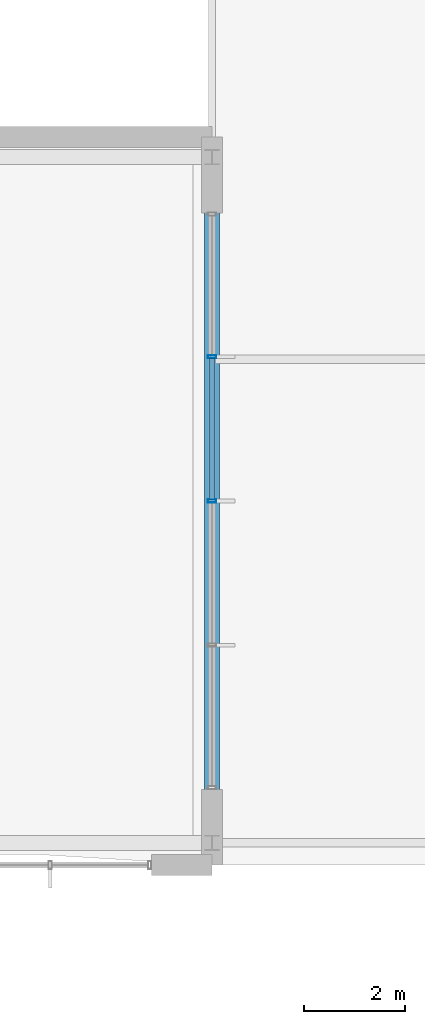
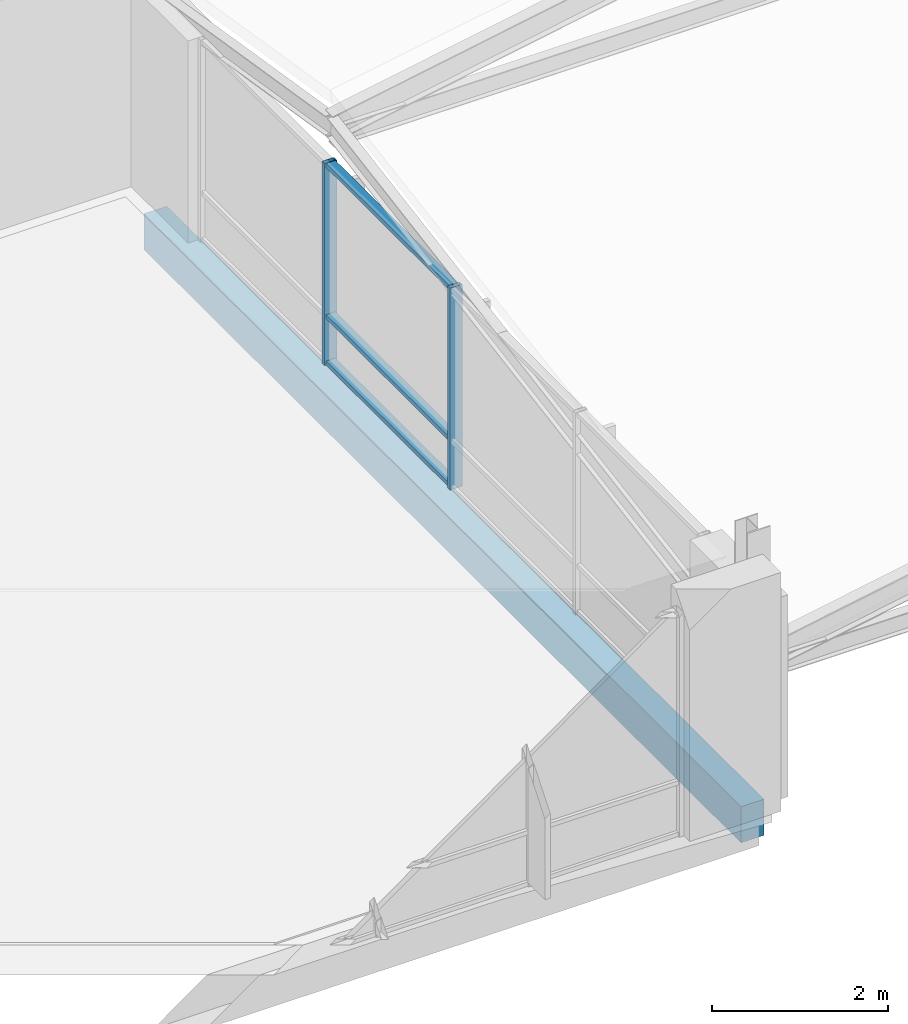
# One storey, part 40 of 189: 5 members, 1 beam, 1 element without a shape of its own.
"""IFC4 building model written with IfcOpenShell, lengths in metres."""

from ifc_helpers import new_model, si_unit, direction, frame, origin, origin_2d, place, context, subcontext, project, spatial, rectangle, hollow_rectangle, extrude, material, material_profile, profile_set, type_object, element, aggregate, save


model = new_model("IFC4")

# Units and contexts
model_context = context("Model", 3, precision=1e-05, world=origin(), true_north=direction((0.0, 1.0)))
body_context = subcontext(model_context, "Body", "Model", "MODEL_VIEW")
ifc_project = project(units=[si_unit("LENGTHUNIT", "METRE"), si_unit("AREAUNIT", "SQUARE_METRE"), si_unit("VOLUMEUNIT", "CUBIC_METRE"), si_unit("PLANEANGLEUNIT", "RADIAN"), si_unit("MASSUNIT", "GRAM", prefix="KILO")], contexts=[model_context])

# Site, building, storey
site_placement = place(None, origin())
site = spatial("IfcSite", under=ifc_project, at=site_placement, CompositionType="ELEMENT")
building_placement = place(site_placement, origin())
building = spatial("IfcBuilding", under=site, at=building_placement, Name="Zavelmont Quarter", CompositionType="ELEMENT")
storey_placement = place(building_placement, frame((0.0, 0.0, 4.39990234375)))
storey = spatial("IfcBuildingStorey", under=building, at=storey_placement, Name="L01", CompositionType="ELEMENT", Elevation=4.39990234375)

# Beam
ifc_material_1 = material(Name="Concrete C35/45", Category="concrete")
ifc_material_profile_1 = material_profile(ifc_material_1, rectangle(XDim=0.300048828125, YDim=0.5, at=origin_2d()), Name="RC300X500")
ifc_profile_set_1 = profile_set([ifc_material_profile_1], Name="Concrete C35/45")
beam_type = type_object("IfcBeamType", Name="BM03", PredefinedType="BEAM", material=ifc_profile_set_1)
beam_placement = place(storey_placement, frame((76.0, 0.43994140625, -0.52978515625), z_axis=(0.0, 1.0, 0.0), x_axis=(-1.0, 0.0, 0.0)))
element("IfcBeam", 1, at=beam_placement, inside=storey, type_object=beam_type, Name="L01 beam BM03 12/A to 12/C", PredefinedType="BEAM", context=body_context, shape_type="SweptSolid", body=[
    extrude(rectangle(XDim=0.300048828125, YDim=0.5, at=origin_2d()), origin(), (0.0, 0.0, 1.0), 13.56005859375),
])

# Curtain wall, members
ifc_material_2 = material(Name="Thermally broken aluminium and double low-E safety glazing", Category="aluminium")
curtain_wall_type = type_object("IfcCurtainWallType", Name="CW-1140X280", PredefinedType="NOTDEFINED", material=ifc_material_2)
curtain_wall_placement = place(storey_placement, origin())
curtain_wall = element("IfcCurtainWall", 2, at=curtain_wall_placement, inside=storey, type_object=curtain_wall_type, Name="L01 unitised curtain wall CW-1140X280", PredefinedType="NOTDEFINED")
ifc_material_3 = material(Name="Powder-coated aluminium EN AW-6063-T6", Category="aluminium")
ifc_material_profile_2 = material_profile(ifc_material_3, hollow_rectangle(XDim=0.06005859375, YDim=0.159912109375, WallThickness=0.00390625, at=origin_2d()), Name="CWM60X160")
ifc_profile_set_2 = profile_set([ifc_material_profile_2], Name="Powder-coated aluminium EN AW-6063-T6")
member_type_1 = type_object("IfcMemberType", Name="CWM01", PredefinedType="MULLION", material=ifc_profile_set_2)
member_1_placement = place(storey_placement, frame((76.0, 7.199951171875, 0.0), z_axis=(0.0, 0.0, 1.0), x_axis=(0.0, 1.0, 0.0)))
member_1 = element("IfcMember", 3, at=member_1_placement, type_object=member_type_1, Name="CW-1140X280 mullion 3", PredefinedType="MULLION", context=body_context, shape_type="SweptSolid", body=[
    extrude(hollow_rectangle(XDim=0.06005859375, YDim=0.159912109375, WallThickness=0.00390625, at=origin_2d()), origin(), (0.0, 0.0, 1.0), 2.800048828125),
])
member_2_placement = place(storey_placement, frame((76.0, 10.050048828125, 0.0), z_axis=(0.0, 0.0, 1.0), x_axis=(0.0, 1.0, 0.0)))
member_2 = element("IfcMember", 4, at=member_2_placement, type_object=member_type_1, Name="CW-1140X280 mullion 4", PredefinedType="MULLION", context=body_context, shape_type="SweptSolid", body=[
    extrude(hollow_rectangle(XDim=0.06005859375, YDim=0.159912109375, WallThickness=0.00390625, at=origin_2d()), origin(), (0.0, 0.0, 1.0), 2.800048828125),
])
ifc_material_profile_3 = material_profile(ifc_material_3, hollow_rectangle(XDim=0.1201171875, YDim=0.06005859375, WallThickness=0.00390625, at=origin_2d()), Name="CWT60X120")
ifc_profile_set_3 = profile_set([ifc_material_profile_3], Name="Powder-coated aluminium EN AW-6063-T6")
member_type_2 = type_object("IfcMemberType", Name="CWT01", PredefinedType="NOTDEFINED", material=ifc_profile_set_3)
member_3_placement = place(storey_placement, frame((76.0, 7.22998046875, 0.030029296875), z_axis=(0.0, 1.0, 0.0), x_axis=(-1.0, 0.0, 0.0)))
member_3 = element("IfcMember", 5, at=member_3_placement, type_object=member_type_2, Name="CW-1140X280 transom 3.1", ObjectType="TRANSOM", PredefinedType="USERDEFINED", context=body_context, shape_type="SweptSolid", body=[
    extrude(hollow_rectangle(XDim=0.1201171875, YDim=0.06005859375, WallThickness=0.00390625, at=origin_2d()), origin(), (0.0, 0.0, 1.0), 2.7900390625),
])
member_4_placement = place(storey_placement, frame((76.0, 7.22998046875, 0.672119140625), z_axis=(0.0, 1.0, 0.0), x_axis=(-1.0, 0.0, 0.0)))
member_4 = element("IfcMember", 6, at=member_4_placement, type_object=member_type_2, Name="CW-1140X280 transom 3.2", ObjectType="TRANSOM", PredefinedType="USERDEFINED", context=body_context, shape_type="SweptSolid", body=[
    extrude(hollow_rectangle(XDim=0.1201171875, YDim=0.06005859375, WallThickness=0.00390625, at=origin_2d()), origin(), (0.0, 0.0, 1.0), 2.7900390625),
])
member_5_placement = place(storey_placement, frame((76.0, 7.22998046875, 2.77001953125), z_axis=(0.0, 1.0, 0.0), x_axis=(-1.0, 0.0, 0.0)))
member_5 = element("IfcMember", 7, at=member_5_placement, type_object=member_type_2, Name="CW-1140X280 transom 3.3", ObjectType="TRANSOM", PredefinedType="USERDEFINED", context=body_context, shape_type="SweptSolid", body=[
    extrude(hollow_rectangle(XDim=0.1201171875, YDim=0.06005859375, WallThickness=0.00390625, at=origin_2d()), origin(), (0.0, 0.0, 1.0), 2.7900390625),
])
aggregate(curtain_wall, [member_1, member_2, member_3, member_4, member_5])

save(model, "model.ifc")
